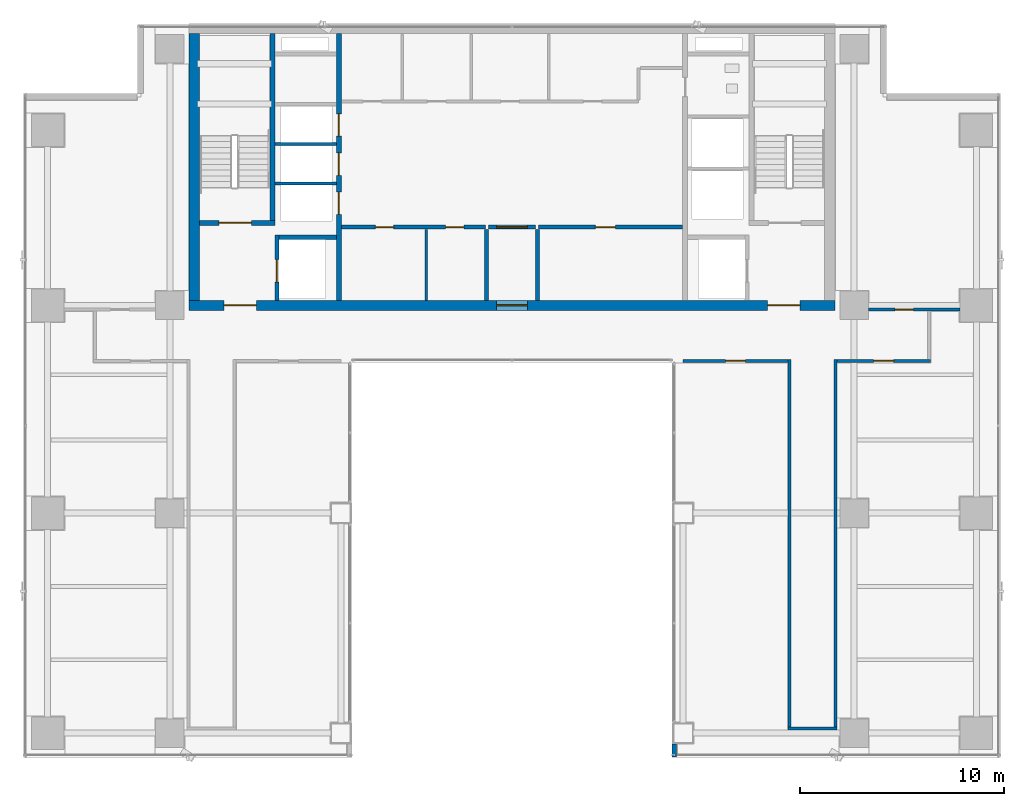
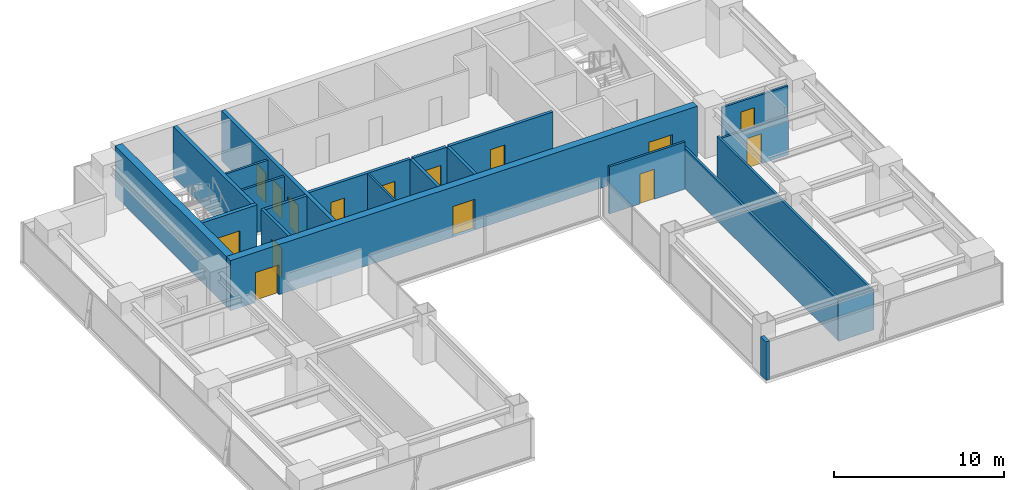
# One storey, part 24 of 29: 22 walls, 15 doors, 15 openings.
"""IFC4 building model written with IfcOpenShell, lengths in metres."""

from ifc_helpers import new_model, si_unit, direction, frame, frame_2d, origin, place, context, subcontext, project, spatial, rectangle, extrude, source, transform, mapped, material, layer, layer_set, type_object, element, fill, save


model = new_model("IFC4")

# Units and contexts
model_context = context("Model", 3, precision=1e-05, world=origin(), true_north=direction((0.0, 1.0)))
body_context = subcontext(model_context, "Body", "Model", "MODEL_VIEW")
ifc_project = project(units=[si_unit("LENGTHUNIT", "METRE"), si_unit("AREAUNIT", "SQUARE_METRE"), si_unit("VOLUMEUNIT", "CUBIC_METRE"), si_unit("PLANEANGLEUNIT", "RADIAN"), si_unit("MASSUNIT", "GRAM", prefix="KILO")], contexts=[model_context])

# Site, building, storey
site_placement = place(None, origin())
site = spatial("IfcSite", under=ifc_project, at=site_placement, CompositionType="ELEMENT")
building_placement = place(site_placement, origin())
building = spatial("IfcBuilding", under=site, at=building_placement, Name="Sumidabori Civic Tower", CompositionType="ELEMENT")
storey_placement = place(building_placement, frame((0.0, 0.0, 207.199951171875)))
storey = spatial("IfcBuildingStorey", under=building, at=storey_placement, Name="L53", CompositionType="ELEMENT", Elevation=207.199951171875)

# Wall
ifc_material_1 = material(Name="Concrete C50/60", Category="concrete")
ifc_layer_1 = layer(ifc_material_1, 0.199951171875, Name="Concrete C50/60")
ifc_layer_set_1 = layer_set([ifc_layer_1], Name="Concrete C50/60")
wall_type_1 = type_object("IfcWallType", Name="WL-SHAFT-200", PredefinedType="SHEAR", material=ifc_layer_set_1)
shared_shape_1 = source(origin(), body_context, "Body", "SweptSolid", [
    extrude(rectangle(XDim=2.824951171875, YDim=0.199951171875, at=frame_2d((1.41259765625, 0.0))), origin(), (0.0, 0.0, 1.0), 3.60009765625),
])
wall_1_placement = place(storey_placement, frame((-11.449951171875, 13.550048828125, 0.0), z_axis=(0.0, 0.0, 1.0), x_axis=(1.0, 0.0, 0.0)))
element("IfcWall", 1, at=wall_1_placement, inside=storey, type_object=wall_type_1, Name="Core Shear Wall L53 EL1-N", PredefinedType="SHEAR", context=body_context, shape_type="MappedRepresentation", body=[
    mapped(shared_shape_1, transform((0.0, 0.0, 0.0), x_axis=(1.0, 0.0, 0.0), y_axis=(0.0, 1.0, 0.0), z_axis=(0.0, 0.0, 1.0), scale=1.0)),
])

# Wall, openings, doors
ifc_layer_2 = layer(ifc_material_1, 0.5, Name="Concrete C50/60")
ifc_layer_set_2 = layer_set([ifc_layer_2], Name="Concrete C50/60")
wall_type_2 = type_object("IfcWallType", Name="WL-CORE-500", PredefinedType="SHEAR", material=ifc_layer_set_2)
shared_shape_2 = source(origin(), body_context, "Body", "SweptSolid", [
    extrude(rectangle(XDim=31.7001953125, YDim=0.5, at=frame_2d((15.85009765625, 0.0))), origin(), (0.0, 0.0, 1.0), 3.60009765625),
])
wall_2_placement = place(storey_placement, frame((-15.85009765625, 10.199951171875, 0.0), z_axis=(0.0, 0.0, 1.0), x_axis=(1.0, 0.0, 0.0)))
wall_2 = element("IfcWall", 2, at=wall_2_placement, inside=storey, type_object=wall_type_2, Name="Core Shear Wall L53 S", PredefinedType="SHEAR", context=body_context, shape_type="MappedRepresentation", body=[
    mapped(shared_shape_2, transform((0.0, 0.0, 0.0), x_axis=(1.0, 0.0, 0.0), y_axis=(0.0, 1.0, 0.0), z_axis=(0.0, 0.0, 1.0), scale=1.0)),
])
opening_1_placement = place(wall_2_placement, frame((1.699951171875, 0.0, 0.0)))
opening_1 = element("IfcOpeningElement", 3, at=opening_1_placement, cuts=wall_2, Name="Opening DR-FD4", PredefinedType="OPENING", context=body_context, shape_type="SweptSolid", body=[
    extrude(rectangle(XDim=1.60009765625, YDim=2.14990234375, at=frame_2d((0.800048828125, 1.074951171875))), frame((0.0, 0.261962890625, 0.0), z_axis=(0.0, -1.0, 0.0), x_axis=(1.0, 0.0, 0.0)), (0.0, 0.0, 1.0), 0.52392578125),
])
opening_2_placement = place(wall_2_placement, frame((28.39990234375, 0.0, 0.0)))
opening_2 = element("IfcOpeningElement", 4, at=opening_2_placement, cuts=wall_2, Name="Opening DR-FD4", PredefinedType="OPENING", context=body_context, shape_type="SweptSolid", body=[
    extrude(rectangle(XDim=1.60009765625, YDim=2.14990234375, at=frame_2d((0.800048828125, 1.074951171875))), frame((0.0, 0.261962890625, 0.0), z_axis=(0.0, -1.0, 0.0), x_axis=(1.0, 0.0, 0.0)), (0.0, 0.0, 1.0), 0.52392578125),
])
opening_3_placement = place(wall_2_placement, frame((15.10009765625, 0.0, 0.0)))
opening_3 = element("IfcOpeningElement", 5, at=opening_3_placement, cuts=wall_2, Name="Opening DR-FD3", PredefinedType="OPENING", context=body_context, shape_type="SweptSolid", body=[
    extrude(rectangle(XDim=1.5, YDim=2.199951171875, at=frame_2d((0.75, 1.10009765625))), frame((0.0, 0.261962890625, 0.0), z_axis=(0.0, -1.0, 0.0), x_axis=(1.0, 0.0, 0.0)), (0.0, 0.0, 1.0), 0.52392578125),
])
ifc_material_2 = material(Name="Steel SN490", Category="steel")
door_type_1 = type_object("IfcDoorType", Name="DR-FD4", OperationType="DOUBLE_DOOR_SINGLE_SWING", PredefinedType="DOOR", material=ifc_material_2)
shared_shape_3 = source(origin(), body_context, "Body", "SweptSolid", [
    extrude(rectangle(XDim=1.60009765625, YDim=2.14990234375, at=frame_2d((0.800048828125, 1.074951171875))), frame((0.0, 0.02490234375, 0.0), z_axis=(0.0, -1.0, 0.0), x_axis=(1.0, 0.0, 0.0)), (0.0, 0.0, 1.0), 0.050048828125),
])
door_1_placement = place(opening_1_placement, origin())
door_1 = element("IfcDoor", 6, at=door_1_placement, inside=storey, type_object=door_type_1, Name="Door DR:L53:ELOB-W", OperationType="DOUBLE_DOOR_SINGLE_SWING", OverallHeight=2.14990234375, OverallWidth=1.60009765625, PredefinedType="DOOR", context=body_context, shape_type="MappedRepresentation", body=[
    mapped(shared_shape_3, transform((0.0, 0.0, 0.0), x_axis=(1.0, 0.0, 0.0), y_axis=(0.0, 1.0, 0.0), z_axis=(0.0, 0.0, 1.0), scale=1.0)),
])
fill(opening_1, door_1)
door_2_placement = place(opening_2_placement, origin())
door_2 = element("IfcDoor", 7, at=door_2_placement, inside=storey, type_object=door_type_1, Name="Door DR:L53:ELOB-E", OperationType="DOUBLE_DOOR_SINGLE_SWING", OverallHeight=2.14990234375, OverallWidth=1.60009765625, PredefinedType="DOOR", context=body_context, shape_type="MappedRepresentation", body=[
    mapped(shared_shape_3, transform((0.0, 0.0, 0.0), x_axis=(1.0, 0.0, 0.0), y_axis=(0.0, 1.0, 0.0), z_axis=(0.0, 0.0, 1.0), scale=1.0)),
])
fill(opening_2, door_2)
door_type_2 = type_object("IfcDoorType", Name="DR-FD-DBL", OperationType="DOUBLE_DOOR_SINGLE_SWING", PredefinedType="DOOR", material=ifc_material_2)
shared_shape_4 = source(origin(), body_context, "Body", "SweptSolid", [
    extrude(rectangle(XDim=1.5, YDim=2.199951171875, at=frame_2d((0.75, 1.10009765625))), frame((0.0, 0.02490234375, 0.0), z_axis=(0.0, -1.0, 0.0), x_axis=(1.0, 0.0, 0.0)), (0.0, 0.0, 1.0), 0.050048828125),
])
door_3_placement = place(opening_3_placement, origin())
door_3 = element("IfcDoor", 8, at=door_3_placement, inside=storey, type_object=door_type_2, Name="Door DR:L53:THROAT-OUT", OperationType="DOUBLE_DOOR_SINGLE_SWING", OverallHeight=2.199951171875, OverallWidth=1.5, PredefinedType="DOOR", context=body_context, shape_type="MappedRepresentation", body=[
    mapped(shared_shape_4, transform((0.0, 0.0, 0.0), x_axis=(1.0, 0.0, 0.0), y_axis=(0.0, 1.0, 0.0), z_axis=(0.0, 0.0, 1.0), scale=1.0)),
])
fill(opening_3, door_3)

# Wall
shared_shape_5 = source(origin(), body_context, "Body", "SweptSolid", [
    extrude(rectangle(XDim=13.10009765625, YDim=0.5, at=frame_2d((6.550048828125, 0.0))), origin(), (0.0, 0.0, 1.0), 3.60009765625),
])
wall_3_placement = place(storey_placement, frame((-15.60009765625, 10.449951171875, 0.0), z_axis=(0.0, 0.0, 1.0), x_axis=(0.0, 1.0, 0.0)))
element("IfcWall", 9, at=wall_3_placement, inside=storey, type_object=wall_type_2, Name="Core Shear Wall L53 W", PredefinedType="SHEAR", context=body_context, shape_type="MappedRepresentation", body=[
    mapped(shared_shape_5, transform((0.0, 0.0, 0.0), x_axis=(1.0, 0.0, 0.0), y_axis=(0.0, 1.0, 0.0), z_axis=(0.0, 0.0, 1.0), scale=1.0)),
])

# Wall, openings, doors
ifc_layer_3 = layer(ifc_material_1, 0.25, Name="Concrete C50/60")
ifc_layer_set_3 = layer_set([ifc_layer_3], Name="Concrete C50/60")
wall_type_3 = type_object("IfcWallType", Name="WL-SHAFT-250", PredefinedType="SHEAR", material=ifc_layer_set_3)
shared_shape_6 = source(origin(), body_context, "Body", "SweptSolid", [
    extrude(rectangle(XDim=13.10009765625, YDim=0.25, at=frame_2d((6.550048828125, 0.0))), origin(), (0.0, 0.0, 1.0), 3.60009765625),
])
wall_4_placement = place(storey_placement, frame((-8.5, 10.449951171875, 0.0), z_axis=(0.0, 0.0, 1.0), x_axis=(0.0, 1.0, 0.0)))
wall_4 = element("IfcWall", 10, at=wall_4_placement, inside=storey, type_object=wall_type_3, Name="Core Shear Wall L53 WEB-W", PredefinedType="SHEAR", context=body_context, shape_type="MappedRepresentation", body=[
    mapped(shared_shape_6, transform((0.0, 0.0, 0.0), x_axis=(1.0, 0.0, 0.0), y_axis=(0.0, 1.0, 0.0), z_axis=(0.0, 0.0, 1.0), scale=1.0)),
])
opening_4_placement = place(wall_4_placement, frame((4.219970703125, 0.0, 0.0)))
opening_4 = element("IfcOpeningElement", 11, at=opening_4_placement, cuts=wall_4, Name="Opening LD-1", PredefinedType="OPENING", context=body_context, shape_type="SweptSolid", body=[
    extrude(rectangle(XDim=1.10009765625, YDim=2.14990234375, at=frame_2d((0.550048828125, 1.074951171875))), frame((0.0, 0.136962890625, 0.0), z_axis=(0.0, -1.0, 0.0), x_axis=(1.0, 0.0, 0.0)), (0.0, 0.0, 1.0), 0.27392578125),
])
opening_5_placement = place(wall_4_placement, frame((6.139892578125, 0.0, 0.0)))
opening_5 = element("IfcOpeningElement", 12, at=opening_5_placement, cuts=wall_4, Name="Opening LD-1", PredefinedType="OPENING", context=body_context, shape_type="SweptSolid", body=[
    extrude(rectangle(XDim=1.10009765625, YDim=2.14990234375, at=frame_2d((0.550048828125, 1.074951171875))), frame((0.0, 0.136962890625, 0.0), z_axis=(0.0, -1.0, 0.0), x_axis=(1.0, 0.0, 0.0)), (0.0, 0.0, 1.0), 0.27392578125),
])
opening_6_placement = place(wall_4_placement, frame((8.06005859375, 0.0, 0.0)))
opening_6 = element("IfcOpeningElement", 13, at=opening_6_placement, cuts=wall_4, Name="Opening LD-1", PredefinedType="OPENING", context=body_context, shape_type="SweptSolid", body=[
    extrude(rectangle(XDim=1.10009765625, YDim=2.14990234375, at=frame_2d((0.550048828125, 1.074951171875))), frame((0.0, 0.136962890625, 0.0), z_axis=(0.0, -1.0, 0.0), x_axis=(1.0, 0.0, 0.0)), (0.0, 0.0, 1.0), 0.27392578125),
])
ifc_material_3 = material(Name="Stainless Steel Hairline Finish", Category="steel")
door_type_3 = type_object("IfcDoorType", Name="DR-LD1", OperationType="DOUBLE_DOOR_SLIDING", PredefinedType="DOOR", material=ifc_material_3)
shared_shape_7 = source(origin(), body_context, "Body", "SweptSolid", [
    extrude(rectangle(XDim=1.10009765625, YDim=2.14990234375, at=frame_2d((0.550048828125, 1.074951171875))), frame((0.0, 0.02490234375, 0.0), z_axis=(0.0, -1.0, 0.0), x_axis=(1.0, 0.0, 0.0)), (0.0, 0.0, 1.0), 0.050048828125),
])
door_4_placement = place(opening_4_placement, origin())
door_4 = element("IfcDoor", 14, at=door_4_placement, inside=storey, type_object=door_type_3, Name="Door DR:L53:LD-PLH1", OperationType="DOUBLE_DOOR_SLIDING", OverallHeight=2.14990234375, OverallWidth=1.10009765625, PredefinedType="DOOR", context=body_context, shape_type="MappedRepresentation", body=[
    mapped(shared_shape_7, transform((0.0, 0.0, 0.0), x_axis=(1.0, 0.0, 0.0), y_axis=(0.0, 1.0, 0.0), z_axis=(0.0, 0.0, 1.0), scale=1.0)),
])
fill(opening_4, door_4)
door_5_placement = place(opening_5_placement, origin())
door_5 = element("IfcDoor", 15, at=door_5_placement, inside=storey, type_object=door_type_3, Name="Door DR:L53:LD-PLH2", OperationType="DOUBLE_DOOR_SLIDING", OverallHeight=2.14990234375, OverallWidth=1.10009765625, PredefinedType="DOOR", context=body_context, shape_type="MappedRepresentation", body=[
    mapped(shared_shape_7, transform((0.0, 0.0, 0.0), x_axis=(1.0, 0.0, 0.0), y_axis=(0.0, 1.0, 0.0), z_axis=(0.0, 0.0, 1.0), scale=1.0)),
])
fill(opening_5, door_5)
door_6_placement = place(opening_6_placement, origin())
door_6 = element("IfcDoor", 16, at=door_6_placement, inside=storey, type_object=door_type_3, Name="Door DR:L53:LD-PLH3", OperationType="DOUBLE_DOOR_SLIDING", OverallHeight=2.14990234375, OverallWidth=1.10009765625, PredefinedType="DOOR", context=body_context, shape_type="MappedRepresentation", body=[
    mapped(shared_shape_7, transform((0.0, 0.0, 0.0), x_axis=(1.0, 0.0, 0.0), y_axis=(0.0, 1.0, 0.0), z_axis=(0.0, 0.0, 1.0), scale=1.0)),
])
fill(opening_6, door_6)

# Wall, opening, door
shared_shape_8 = source(origin(), body_context, "Body", "SweptSolid", [
    extrude(rectangle(XDim=3.705078125, YDim=0.25, at=frame_2d((1.8525390625, 0.0))), origin(), (0.0, 0.0, 1.0), 3.60009765625),
])
wall_5_placement = place(storey_placement, frame((-15.35009765625, 14.25, 0.0), z_axis=(0.0, 0.0, 1.0), x_axis=(1.0, 0.0, 0.0)))
wall_5 = element("IfcWall", 17, at=wall_5_placement, inside=storey, type_object=wall_type_3, Name="Core Shear Wall L53 ST1-S", PredefinedType="SHEAR", context=body_context, shape_type="MappedRepresentation", body=[
    mapped(shared_shape_8, transform((0.0, 0.0, 0.0), x_axis=(1.0, 0.0, 0.0), y_axis=(0.0, 1.0, 0.0), z_axis=(0.0, 0.0, 1.0), scale=1.0)),
])
opening_7_placement = place(wall_5_placement, frame((0.949951171875, 0.0, 0.0)))
opening_7 = element("IfcOpeningElement", 18, at=opening_7_placement, cuts=wall_5, Name="Opening DR-FD4", PredefinedType="OPENING", context=body_context, shape_type="SweptSolid", body=[
    extrude(rectangle(XDim=1.60009765625, YDim=2.14990234375, at=frame_2d((0.800048828125, 1.074951171875))), frame((0.0, 0.136962890625, 0.0), z_axis=(0.0, -1.0, 0.0), x_axis=(1.0, 0.0, 0.0)), (0.0, 0.0, 1.0), 0.27392578125),
])
door_7_placement = place(opening_7_placement, origin())
door_7 = element("IfcDoor", 19, at=door_7_placement, inside=storey, type_object=door_type_1, Name="Door DR:L53:ST1", OperationType="DOUBLE_DOOR_SINGLE_SWING", OverallHeight=2.14990234375, OverallWidth=1.60009765625, PredefinedType="DOOR", context=body_context, shape_type="MappedRepresentation", body=[
    mapped(shared_shape_3, transform((0.0, 0.0, 0.0), x_axis=(1.0, 0.0, 0.0), y_axis=(0.0, 1.0, 0.0), z_axis=(0.0, 0.0, 1.0), scale=1.0)),
])
fill(opening_7, door_7)

# Wall
shared_shape_9 = source(origin(), body_context, "Body", "SweptSolid", [
    extrude(rectangle(XDim=9.175048828125, YDim=0.25, at=frame_2d((4.58740234375, 0.0))), origin(), (0.0, 0.0, 1.0), 3.60009765625),
])
wall_6_placement = place(storey_placement, frame((-11.77001953125, 14.375, 0.0), z_axis=(0.0, 0.0, 1.0), x_axis=(0.0, 1.0, 0.0)))
element("IfcWall", 20, at=wall_6_placement, inside=storey, type_object=wall_type_3, Name="Core Shear Wall L53 ST1-E", PredefinedType="SHEAR", context=body_context, shape_type="MappedRepresentation", body=[
    mapped(shared_shape_9, transform((0.0, 0.0, 0.0), x_axis=(1.0, 0.0, 0.0), y_axis=(0.0, 1.0, 0.0), z_axis=(0.0, 0.0, 1.0), scale=1.0)),
])

# Wall, opening, door
shared_shape_10 = source(origin(), body_context, "Body", "SweptSolid", [
    extrude(rectangle(XDim=3.199951171875, YDim=0.199951171875, at=frame_2d((1.60009765625, 0.0))), origin(), (0.0, 0.0, 1.0), 3.60009765625),
])
wall_7_placement = place(storey_placement, frame((-11.550048828125, 10.449951171875, 0.0), z_axis=(0.0, 0.0, 1.0), x_axis=(0.0, 1.0, 0.0)))
wall_7 = element("IfcWall", 21, at=wall_7_placement, inside=storey, type_object=wall_type_1, Name="Core Shear Wall L53 EL1-W", PredefinedType="SHEAR", context=body_context, shape_type="MappedRepresentation", body=[
    mapped(shared_shape_10, transform((0.0, 0.0, 0.0), x_axis=(1.0, 0.0, 0.0), y_axis=(0.0, 1.0, 0.0), z_axis=(0.0, 0.0, 1.0), scale=1.0)),
])
opening_8_placement = place(wall_7_placement, frame((0.89990234375, 0.0, 0.0)))
opening_8 = element("IfcOpeningElement", 22, at=opening_8_placement, cuts=wall_7, Name="Opening LD-2", PredefinedType="OPENING", context=body_context, shape_type="SweptSolid", body=[
    extrude(rectangle(XDim=1.10009765625, YDim=2.14990234375, at=frame_2d((0.550048828125, 1.074951171875))), frame((0.0, 0.11181640625, 0.0), z_axis=(0.0, -1.0, 0.0), x_axis=(1.0, 0.0, 0.0)), (0.0, 0.0, 1.0), 0.223876953125),
])
door_type_4 = type_object("IfcDoorType", Name="DR-LD2", OperationType="DOUBLE_DOOR_SLIDING", PredefinedType="DOOR", material=ifc_material_3)
door_8_placement = place(opening_8_placement, origin())
door_8 = element("IfcDoor", 23, at=door_8_placement, inside=storey, type_object=door_type_4, Name="Door DR:L53:LD-EL1", OperationType="DOUBLE_DOOR_SLIDING", OverallHeight=2.14990234375, OverallWidth=1.10009765625, PredefinedType="DOOR", context=body_context, shape_type="MappedRepresentation", body=[
    mapped(shared_shape_7, transform((0.0, 0.0, 0.0), x_axis=(1.0, 0.0, 0.0), y_axis=(0.0, 1.0, 0.0), z_axis=(0.0, 0.0, 1.0), scale=1.0)),
])
fill(opening_8, door_8)

# Walls
ifc_material_4 = material(Name="Precast concrete C40/50", Category="concrete")
ifc_layer_4 = layer(ifc_material_4, 0.300048828125, Name="Precast concrete C40/50")
ifc_layer_set_4 = layer_set([ifc_layer_4], Name="Precast concrete C40/50")
wall_type_4 = type_object("IfcWallType", Name="WL-EXT-POD300", PredefinedType="STANDARD", material=ifc_layer_set_4)
shared_shape_11 = source(origin(), body_context, "Body", "SweptSolid", [
    extrude(rectangle(XDim=0.639892578125, YDim=0.239990234375, at=frame_2d((0.31982421875, 0.0))), origin(), (0.0, 0.0, 1.0), 2.760009765625),
])
wall_8_placement = place(storey_placement, frame((7.969970703125, -11.330078125, 0.0), z_axis=(0.0, 0.0, 1.0), x_axis=(0.0, -1.0, 0.0)))
element("IfcWall", 24, at=wall_8_placement, inside=storey, type_object=wall_type_4, Name="Perimeter Pier Spandrel L53-08", PredefinedType="STANDARD", context=body_context, shape_type="MappedRepresentation", body=[
    mapped(shared_shape_11, transform((0.0, 0.0, 0.0), x_axis=(1.0, 0.0, 0.0), y_axis=(0.0, 1.0, 0.0), z_axis=(0.0, 0.0, 1.0), scale=1.0)),
])
ifc_material_5 = material(Name="Gypsum Plasterboard Acoustic Partition")
ifc_layer_5 = layer(ifc_material_5, 0.14990234375, Name="Gypsum Plasterboard Acoustic Partition")
ifc_layer_set_5 = layer_set([ifc_layer_5], Name="Gypsum Plasterboard Acoustic Partition")
wall_type_5 = type_object("IfcWallType", Name="WL-PART-150", PredefinedType="PARTITIONING", material=ifc_layer_set_5)
shared_shape_12 = source(origin(), body_context, "Body", "SweptSolid", [
    extrude(rectangle(XDim=3.010009765625, YDim=0.14990234375, at=frame_2d((1.5048828125, 0.0))), origin(), (0.0, 0.0, 1.0), 3.380126953125),
])
for number, where, z_axis, x_axis, name in (
    (25, (-11.639892578125, 16.199951171875, 0.0), (0.0, 0.0, 1.0), (1.0, 0.0, 0.0), "Interior Partition WL:L53:DIV-PLH1"),
    (26, (-11.639892578125, 18.1201171875, 0.0), (0.0, 0.0, 1.0), (1.0, 0.0, 0.0), "Interior Partition WL:L53:DIV-PLH2"),
):
    element("IfcWall", number, at=place(storey_placement, frame(where, z_axis=z_axis, x_axis=x_axis)), inside=storey, type_object=wall_type_5, Name=name, PredefinedType="PARTITIONING", context=body_context, shape_type="MappedRepresentation", body=[
        mapped(shared_shape_12, transform((0.0, 0.0, 0.0), x_axis=(1.0, 0.0, 0.0), y_axis=(0.0, 1.0, 0.0), z_axis=(0.0, 0.0, 1.0), scale=1.0)),
    ])

# Wall, openings, doors
ifc_material_6 = material(Name="Gypsum Plasterboard Fire Partition")
ifc_layer_6 = layer(ifc_material_6, 0.199951171875, Name="Gypsum Plasterboard Fire Partition")
ifc_layer_set_6 = layer_set([ifc_layer_6], Name="Gypsum Plasterboard Fire Partition")
wall_type_6 = type_object("IfcWallType", Name="WL-PART-FIRE", PredefinedType="PARTITIONING", material=ifc_layer_set_6)
shared_shape_13 = source(origin(), body_context, "Body", "SweptSolid", [
    extrude(rectangle(XDim=7.070068359375, YDim=0.199951171875, at=frame_2d((3.53515625, 0.0))), origin(), (0.0, 0.0, 1.0), 3.380126953125),
])
wall_9_placement = place(storey_placement, frame((-8.3701171875, 14.050048828125, 0.0), z_axis=(0.0, 0.0, 1.0), x_axis=(1.0, 0.0, 0.0)))
wall_9 = element("IfcWall", 27, at=wall_9_placement, inside=storey, type_object=wall_type_6, Name="Interior Partition WL:L53:CBAND-SW", PredefinedType="PARTITIONING", context=body_context, shape_type="MappedRepresentation", body=[
    mapped(shared_shape_13, transform((0.0, 0.0, 0.0), x_axis=(1.0, 0.0, 0.0), y_axis=(0.0, 1.0, 0.0), z_axis=(0.0, 0.0, 1.0), scale=1.0)),
])
opening_9_placement = place(wall_9_placement, frame((1.659912109375, 0.0, 0.0)))
opening_9 = element("IfcOpeningElement", 28, at=opening_9_placement, cuts=wall_9, Name="Opening DR-1", PredefinedType="OPENING", context=body_context, shape_type="SweptSolid", body=[
    extrude(rectangle(XDim=0.89990234375, YDim=2.14990234375, at=frame_2d((0.449951171875, 1.074951171875))), frame((0.0, 0.11181640625, 0.0), z_axis=(0.0, -1.0, 0.0), x_axis=(1.0, 0.0, 0.0)), (0.0, 0.0, 1.0), 0.223876953125),
])
opening_10_placement = place(wall_9_placement, frame((5.110107421875, 0.0, 0.0)))
opening_10 = element("IfcOpeningElement", 29, at=opening_10_placement, cuts=wall_9, Name="Opening DR-1", PredefinedType="OPENING", context=body_context, shape_type="SweptSolid", body=[
    extrude(rectangle(XDim=0.89990234375, YDim=2.14990234375, at=frame_2d((0.449951171875, 1.074951171875))), frame((0.0, 0.11181640625, 0.0), z_axis=(0.0, -1.0, 0.0), x_axis=(1.0, 0.0, 0.0)), (0.0, 0.0, 1.0), 0.223876953125),
])
ifc_material_7 = material(Name="Japanese Hinoki Timber", Category="wood")
door_type_5 = type_object("IfcDoorType", Name="DR-INT-900", OperationType="NOTDEFINED", PredefinedType="DOOR", material=ifc_material_7)
shared_shape_14 = source(origin(), body_context, "Body", "SweptSolid", [
    extrude(rectangle(XDim=0.89990234375, YDim=2.14990234375, at=frame_2d((0.449951171875, 1.074951171875))), frame((0.0, 0.02490234375, 0.0), z_axis=(0.0, -1.0, 0.0), x_axis=(1.0, 0.0, 0.0)), (0.0, 0.0, 1.0), 0.050048828125),
])
door_9_placement = place(opening_9_placement, origin())
door_9 = element("IfcDoor", 30, at=door_9_placement, inside=storey, type_object=door_type_5, Name="Door DR:L53:REC-B1A", OperationType="SINGLE_SWING_LEFT", OverallHeight=2.14990234375, OverallWidth=0.89990234375, PredefinedType="DOOR", context=body_context, shape_type="MappedRepresentation", body=[
    mapped(shared_shape_14, transform((0.0, 0.0, 0.0), x_axis=(1.0, 0.0, 0.0), y_axis=(0.0, 1.0, 0.0), z_axis=(0.0, 0.0, 1.0), scale=1.0)),
])
fill(opening_9, door_9)
door_10_placement = place(opening_10_placement, origin())
door_10 = element("IfcDoor", 31, at=door_10_placement, inside=storey, type_object=door_type_5, Name="Door DR:L53:REC-B1B", OperationType="SINGLE_SWING_RIGHT", OverallHeight=2.14990234375, OverallWidth=0.89990234375, PredefinedType="DOOR", context=body_context, shape_type="MappedRepresentation", body=[
    mapped(shared_shape_14, transform((0.0, 0.0, 0.0), x_axis=(1.0, 0.0, 0.0), y_axis=(0.0, 1.0, 0.0), z_axis=(0.0, 0.0, 1.0), scale=1.0)),
])
fill(opening_10, door_10)

# Wall, opening, door
wall_10_placement = place(storey_placement, frame((1.300048828125, 14.050048828125, 0.0), z_axis=(0.0, 0.0, 1.0), x_axis=(1.0, 0.0, 0.0)))
wall_10 = element("IfcWall", 32, at=wall_10_placement, inside=storey, type_object=wall_type_6, Name="Interior Partition WL:L53:CBAND-SE", PredefinedType="PARTITIONING", context=body_context, shape_type="MappedRepresentation", body=[
    mapped(shared_shape_13, transform((0.0, 0.0, 0.0), x_axis=(1.0, 0.0, 0.0), y_axis=(0.0, 1.0, 0.0), z_axis=(0.0, 0.0, 1.0), scale=1.0)),
])
opening_11_placement = place(wall_10_placement, frame((2.800048828125, 0.0, 0.0)))
opening_11 = element("IfcOpeningElement", 33, at=opening_11_placement, cuts=wall_10, Name="Opening DR-3", PredefinedType="OPENING", context=body_context, shape_type="SweptSolid", body=[
    extrude(rectangle(XDim=0.97998046875, YDim=2.14990234375, at=frame_2d((0.489990234375, 1.074951171875))), frame((0.0, 0.11181640625, 0.0), z_axis=(0.0, -1.0, 0.0), x_axis=(1.0, 0.0, 0.0)), (0.0, 0.0, 1.0), 0.223876953125),
])
door_type_6 = type_object("IfcDoorType", Name="DR-INT-980", OperationType="NOTDEFINED", PredefinedType="DOOR", material=ifc_material_7)
shared_shape_15 = source(origin(), body_context, "Body", "SweptSolid", [
    extrude(rectangle(XDim=0.97998046875, YDim=2.14990234375, at=frame_2d((0.489990234375, 1.074951171875))), frame((0.0, 0.02490234375, 0.0), z_axis=(0.0, -1.0, 0.0), x_axis=(1.0, 0.0, 0.0)), (0.0, 0.0, 1.0), 0.050048828125),
])
door_11_placement = place(opening_11_placement, origin())
door_11 = element("IfcDoor", 34, at=door_11_placement, inside=storey, type_object=door_type_6, Name="Door DR:L53:REC-B2", OperationType="SINGLE_SWING_RIGHT", OverallHeight=2.14990234375, OverallWidth=0.97998046875, PredefinedType="DOOR", context=body_context, shape_type="MappedRepresentation", body=[
    mapped(shared_shape_15, transform((0.0, 0.0, 0.0), x_axis=(1.0, 0.0, 0.0), y_axis=(0.0, 1.0, 0.0), z_axis=(0.0, 0.0, 1.0), scale=1.0)),
])
fill(opening_11, door_11)

shared_shape_16 = source(origin(), body_context, "Body", "SweptSolid", [
    extrude(rectangle(XDim=2.2998046875, YDim=0.199951171875, at=frame_2d((1.14990234375, 0.0))), origin(), (0.0, 0.0, 1.0), 3.380126953125),
])
wall_11_placement = place(storey_placement, frame((-1.14990234375, 14.050048828125, 0.0), z_axis=(0.0, 0.0, 1.0), x_axis=(1.0, 0.0, 0.0)))
wall_11 = element("IfcWall", 35, at=wall_11_placement, inside=storey, type_object=wall_type_6, Name="Interior Partition WL:L53:THROAT-N", PredefinedType="PARTITIONING", context=body_context, shape_type="MappedRepresentation", body=[
    mapped(shared_shape_16, transform((0.0, 0.0, 0.0), x_axis=(1.0, 0.0, 0.0), y_axis=(0.0, 1.0, 0.0), z_axis=(0.0, 0.0, 1.0), scale=1.0)),
])
opening_12_placement = place(wall_11_placement, frame((0.39990234375, 0.0, 0.0)))
opening_12 = element("IfcOpeningElement", 36, at=opening_12_placement, cuts=wall_11, Name="Opening DR-FD3", PredefinedType="OPENING", context=body_context, shape_type="SweptSolid", body=[
    extrude(rectangle(XDim=1.5, YDim=2.199951171875, at=frame_2d((0.75, 1.10009765625))), frame((0.0, 0.11181640625, 0.0), z_axis=(0.0, -1.0, 0.0), x_axis=(1.0, 0.0, 0.0)), (0.0, 0.0, 1.0), 0.223876953125),
])
door_12_placement = place(opening_12_placement, origin())
door_12 = element("IfcDoor", 37, at=door_12_placement, inside=storey, type_object=door_type_2, Name="Door DR:L53:THROAT-IN", OperationType="DOUBLE_DOOR_SINGLE_SWING", OverallHeight=2.199951171875, OverallWidth=1.5, PredefinedType="DOOR", context=body_context, shape_type="MappedRepresentation", body=[
    mapped(shared_shape_4, transform((0.0, 0.0, 0.0), x_axis=(1.0, 0.0, 0.0), y_axis=(0.0, 1.0, 0.0), z_axis=(0.0, 0.0, 1.0), scale=1.0)),
])
fill(opening_12, door_12)

# Walls
shared_shape_17 = source(origin(), body_context, "Body", "SweptSolid", [
    extrude(rectangle(XDim=3.489990234375, YDim=0.199951171875, at=frame_2d((1.7451171875, 0.0))), origin(), (0.0, 0.0, 1.0), 3.380126953125),
])
for number, where, z_axis, x_axis, name in (
    (38, (-1.25, 10.449951171875, 0.0), (0.0, 0.0, 1.0), (0.0, 1.0, 0.0), "Interior Partition WL:L53:THROAT-W"),
    (39, (1.25, 10.449951171875, 0.0), (0.0, 0.0, 1.0), (0.0, 1.0, 0.0), "Interior Partition WL:L53:THROAT-E"),
):
    element("IfcWall", number, at=place(storey_placement, frame(where, z_axis=z_axis, x_axis=x_axis)), inside=storey, type_object=wall_type_6, Name=name, PredefinedType="PARTITIONING", context=body_context, shape_type="MappedRepresentation", body=[
        mapped(shared_shape_17, transform((0.0, 0.0, 0.0), x_axis=(1.0, 0.0, 0.0), y_axis=(0.0, 1.0, 0.0), z_axis=(0.0, 0.0, 1.0), scale=1.0)),
    ])
ifc_layer_7 = layer(ifc_material_5, 0.1201171875, Name="Gypsum Plasterboard Acoustic Partition")
ifc_layer_set_7 = layer_set([ifc_layer_7], Name="Gypsum Plasterboard Acoustic Partition")
wall_type_7 = type_object("IfcWallType", Name="WL-PART-120", PredefinedType="PARTITIONING", material=ifc_layer_set_7)
shared_shape_18 = source(origin(), body_context, "Body", "SweptSolid", [
    extrude(rectangle(XDim=3.489990234375, YDim=0.1201171875, at=frame_2d((1.7451171875, 0.0))), origin(), (0.0, 0.0, 1.0), 3.380126953125),
])
wall_12_placement = place(storey_placement, frame((-4.199951171875, 10.449951171875, 0.0), z_axis=(0.0, 0.0, 1.0), x_axis=(0.0, 1.0, 0.0)))
element("IfcWall", 40, at=wall_12_placement, inside=storey, type_object=wall_type_7, Name="Interior Partition WL:L53:REC-B1-SP", PredefinedType="PARTITIONING", context=body_context, shape_type="MappedRepresentation", body=[
    mapped(shared_shape_18, transform((0.0, 0.0, 0.0), x_axis=(1.0, 0.0, 0.0), y_axis=(0.0, 1.0, 0.0), z_axis=(0.0, 0.0, 1.0), scale=1.0)),
])

# Wall, opening, door
shared_shape_19 = source(origin(), body_context, "Body", "SweptSolid", [
    extrude(rectangle(XDim=4.47998046875, YDim=0.14990234375, at=frame_2d((2.239990234375, 0.0))), origin(), (0.0, 0.0, 1.0), 2.9150390625),
])
wall_13_placement = place(storey_placement, frame((17.510009765625, 10.0, 0.0), z_axis=(0.0, 0.0, 1.0), x_axis=(1.0, 0.0, 0.0)))
wall_13 = element("IfcWall", 41, at=wall_13_placement, inside=storey, type_object=wall_type_5, Name="Interior Partition WL:L53:FLK-NE", PredefinedType="PARTITIONING", context=body_context, shape_type="MappedRepresentation", body=[
    mapped(shared_shape_19, transform((0.0, 0.0, 0.0), x_axis=(1.0, 0.0, 0.0), y_axis=(0.0, 1.0, 0.0), z_axis=(0.0, 0.0, 1.0), scale=1.0)),
])
opening_13_placement = place(wall_13_placement, frame((1.294921875, 0.0, 0.0)))
opening_13 = element("IfcOpeningElement", 42, at=opening_13_placement, cuts=wall_13, Name="Opening DR-1", PredefinedType="OPENING", context=body_context, shape_type="SweptSolid", body=[
    extrude(rectangle(XDim=0.89990234375, YDim=2.14990234375, at=frame_2d((0.449951171875, 1.074951171875))), frame((0.0, 0.0869140625, 0.0), z_axis=(0.0, -1.0, 0.0), x_axis=(1.0, 0.0, 0.0)), (0.0, 0.0, 1.0), 0.173828125),
])
door_13_placement = place(opening_13_placement, origin())
door_13 = element("IfcDoor", 43, at=door_13_placement, inside=storey, type_object=door_type_5, Name="Door DR:L53:FLK-NE", OperationType="SINGLE_SWING_RIGHT", OverallHeight=2.14990234375, OverallWidth=0.89990234375, PredefinedType="DOOR", context=body_context, shape_type="MappedRepresentation", body=[
    mapped(shared_shape_14, transform((0.0, 0.0, 0.0), x_axis=(1.0, 0.0, 0.0), y_axis=(0.0, 1.0, 0.0), z_axis=(0.0, 0.0, 1.0), scale=1.0)),
])
fill(opening_13, door_13)

shared_shape_20 = source(origin(), body_context, "Body", "SweptSolid", [
    extrude(rectangle(XDim=4.60009765625, YDim=0.14990234375, at=frame_2d((2.300048828125, 0.0))), origin(), (0.0, 0.0, 1.0), 2.76513671875),
])
wall_14_placement = place(storey_placement, frame((15.949951171875, 7.47509765625, 0.0), z_axis=(0.0, 0.0, 1.0), x_axis=(1.0, 0.0, 0.0)))
wall_14 = element("IfcWall", 44, at=wall_14_placement, inside=storey, type_object=wall_type_5, Name="Interior Partition WL:L53:CORR-SEO", PredefinedType="PARTITIONING", context=body_context, shape_type="MappedRepresentation", body=[
    mapped(shared_shape_20, transform((0.0, 0.0, 0.0), x_axis=(1.0, 0.0, 0.0), y_axis=(0.0, 1.0, 0.0), z_axis=(0.0, 0.0, 1.0), scale=1.0)),
])
opening_14_placement = place(wall_14_placement, frame((1.81005859375, 0.0, 0.0)))
opening_14 = element("IfcOpeningElement", 45, at=opening_14_placement, cuts=wall_14, Name="Opening DR-3", PredefinedType="OPENING", context=body_context, shape_type="SweptSolid", body=[
    extrude(rectangle(XDim=0.97998046875, YDim=2.14990234375, at=frame_2d((0.489990234375, 1.074951171875))), frame((0.0, 0.0869140625, 0.0), z_axis=(0.0, -1.0, 0.0), x_axis=(1.0, 0.0, 0.0)), (0.0, 0.0, 1.0), 0.173828125),
])
door_14_placement = place(opening_14_placement, origin())
door_14 = element("IfcDoor", 46, at=door_14_placement, inside=storey, type_object=door_type_6, Name="Door DR:L53:D04", OperationType="SINGLE_SWING_RIGHT", OverallHeight=2.14990234375, OverallWidth=0.97998046875, PredefinedType="DOOR", context=body_context, shape_type="MappedRepresentation", body=[
    mapped(shared_shape_15, transform((0.0, 0.0, 0.0), x_axis=(1.0, 0.0, 0.0), y_axis=(0.0, 1.0, 0.0), z_axis=(0.0, 0.0, 1.0), scale=1.0)),
])
fill(opening_14, door_14)

shared_shape_21 = source(origin(), body_context, "Body", "SweptSolid", [
    extrude(rectangle(XDim=5.150146484375, YDim=0.14990234375, at=frame_2d((2.5751953125, 0.0))), origin(), (0.0, 0.0, 1.0), 3.380126953125),
])
wall_15_placement = place(storey_placement, frame((8.39990234375, 7.47509765625, 0.0), z_axis=(0.0, 0.0, 1.0), x_axis=(1.0, 0.0, 0.0)))
wall_15 = element("IfcWall", 47, at=wall_15_placement, inside=storey, type_object=wall_type_5, Name="Interior Partition WL:L53:CORR-SEI", PredefinedType="PARTITIONING", context=body_context, shape_type="MappedRepresentation", body=[
    mapped(shared_shape_21, transform((0.0, 0.0, 0.0), x_axis=(1.0, 0.0, 0.0), y_axis=(0.0, 1.0, 0.0), z_axis=(0.0, 0.0, 1.0), scale=1.0)),
])
opening_15_placement = place(wall_15_placement, frame((2.0849609375, 0.0, 0.0)))
opening_15 = element("IfcOpeningElement", 48, at=opening_15_placement, cuts=wall_15, Name="Opening DR-3", PredefinedType="OPENING", context=body_context, shape_type="SweptSolid", body=[
    extrude(rectangle(XDim=0.97998046875, YDim=2.14990234375, at=frame_2d((0.489990234375, 1.074951171875))), frame((0.0, 0.0869140625, 0.0), z_axis=(0.0, -1.0, 0.0), x_axis=(1.0, 0.0, 0.0)), (0.0, 0.0, 1.0), 0.173828125),
])
door_15_placement = place(opening_15_placement, origin())
door_15 = element("IfcDoor", 49, at=door_15_placement, inside=storey, type_object=door_type_6, Name="Door DR:L53:D06", OperationType="SINGLE_SWING_RIGHT", OverallHeight=2.14990234375, OverallWidth=0.97998046875, PredefinedType="DOOR", context=body_context, shape_type="MappedRepresentation", body=[
    mapped(shared_shape_15, transform((0.0, 0.0, 0.0), x_axis=(1.0, 0.0, 0.0), y_axis=(0.0, 1.0, 0.0), z_axis=(0.0, 0.0, 1.0), scale=1.0)),
])
fill(opening_15, door_15)

# Walls
shared_shape_22 = source(origin(), body_context, "Body", "SweptSolid", [
    extrude(rectangle(XDim=2.39990234375, YDim=0.14990234375, at=frame_2d((1.199951171875, 0.0))), origin(), (0.0, 0.0, 1.0), 2.9150390625),
])
wall_16_placement = place(storey_placement, frame((13.550048828125, -10.574951171875, 0.0), z_axis=(0.0, 0.0, 1.0), x_axis=(1.0, 0.0, 0.0)))
element("IfcWall", 50, at=wall_16_placement, inside=storey, type_object=wall_type_5, Name="Interior Partition WL:L53:CORR-CAP-E", PredefinedType="PARTITIONING", context=body_context, shape_type="MappedRepresentation", body=[
    mapped(shared_shape_22, transform((0.0, 0.0, 0.0), x_axis=(1.0, 0.0, 0.0), y_axis=(0.0, 1.0, 0.0), z_axis=(0.0, 0.0, 1.0), scale=1.0)),
])
shared_shape_23 = source(origin(), body_context, "Body", "SweptSolid", [
    extrude(rectangle(XDim=18.045166015625, YDim=0.14990234375, at=frame_2d((9.0224609375, 0.0))), origin(), (0.0, 0.0, 1.0), 2.9150390625),
])
for number, where, z_axis, x_axis, name in (
    (51, (13.625, -10.4951171875, 0.0), (0.0, 0.0, 1.0), (0.0, 1.0, 0.0), "Interior Partition WL:L53:CORR-VPE-I"),
    (52, (15.875, -10.4951171875, 0.0), (0.0, 0.0, 1.0), (0.0, 1.0, 0.0), "Interior Partition WL:L53:CORR-VPE-O"),
):
    element("IfcWall", number, at=place(storey_placement, frame(where, z_axis=z_axis, x_axis=x_axis)), inside=storey, type_object=wall_type_5, Name=name, PredefinedType="PARTITIONING", context=body_context, shape_type="MappedRepresentation", body=[
        mapped(shared_shape_23, transform((0.0, 0.0, 0.0), x_axis=(1.0, 0.0, 0.0), y_axis=(0.0, 1.0, 0.0), z_axis=(0.0, 0.0, 1.0), scale=1.0)),
    ])

save(model, "model.ifc")
